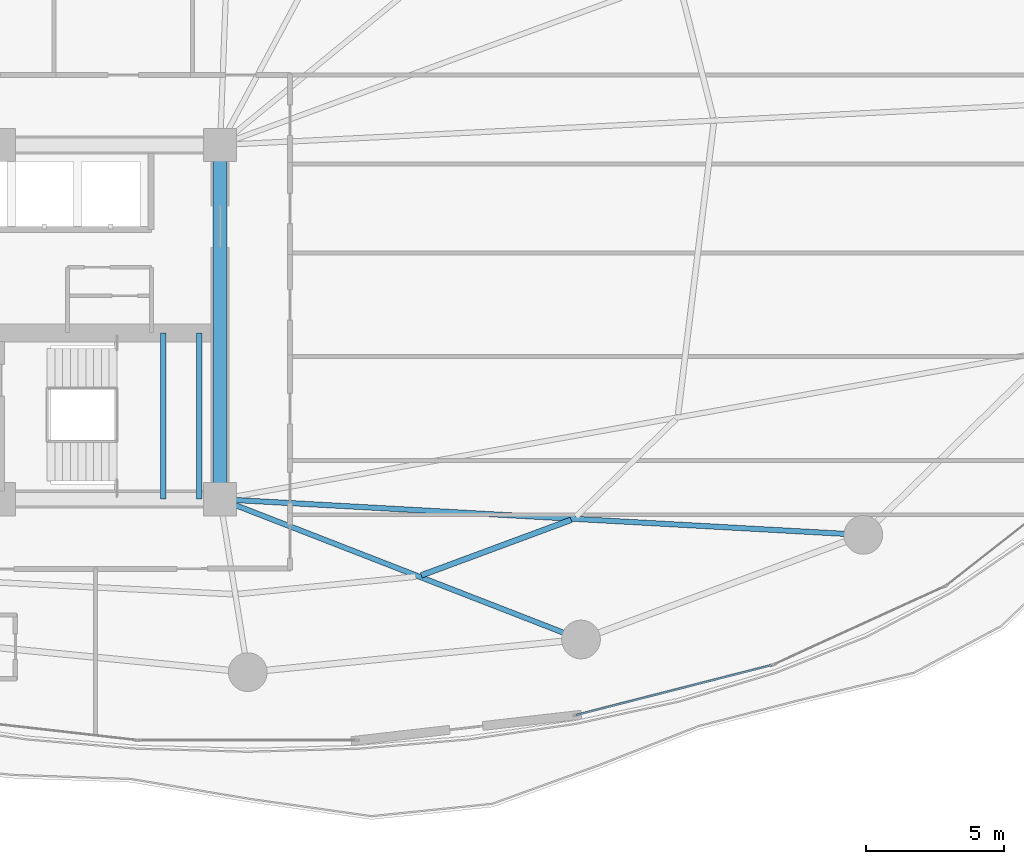
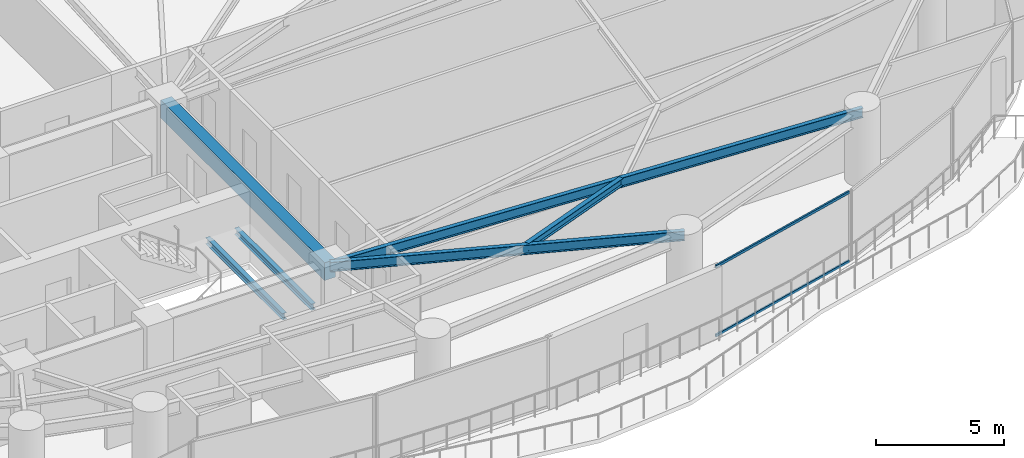
# One storey, part 12 of 34: 6 beams, 2 members, 1 element without a shape of its own.
"""IFC4 building model written with IfcOpenShell, lengths in metres."""

from ifc_helpers import new_model, si_unit, direction, frame, origin, origin_2d, place, context, subcontext, project, spatial, rectangle, hollow_rectangle, i_section, extrude, material, layer, layer_set, material_profile, profile_set, type_object, element, aggregate, save


model = new_model("IFC4")

# Units and contexts
model_context = context("Model", 3, precision=1e-05, world=origin(), true_north=direction((0.0, 1.0)))
body_context = subcontext(model_context, "Body", "Model", "MODEL_VIEW")
ifc_project = project(units=[si_unit("LENGTHUNIT", "METRE"), si_unit("AREAUNIT", "SQUARE_METRE"), si_unit("VOLUMEUNIT", "CUBIC_METRE"), si_unit("PLANEANGLEUNIT", "RADIAN"), si_unit("MASSUNIT", "GRAM", prefix="KILO")], contexts=[model_context])

# Site, building, storey
site_placement = place(None, origin())
site = spatial("IfcSite", under=ifc_project, at=site_placement, CompositionType="ELEMENT")
building_placement = place(site_placement, origin())
building = spatial("IfcBuilding", under=site, at=building_placement, Name="Kazevale Care Tower and Concert Hall", CompositionType="ELEMENT")
storey_placement = place(building_placement, frame((0.0, 0.0, 67.199951171875)))
storey = spatial("IfcBuildingStorey", under=building, at=storey_placement, Name="L17", CompositionType="ELEMENT", Elevation=67.199951171875)

# Curtain wall, members
ifc_material_1 = material(Name="Aluminium 6063-T6 and Low-E Glass", Category="aluminium")
ifc_layer = layer(ifc_material_1, 0.179931640625)
ifc_layer_set = layer_set([ifc_layer], Name="Aluminium 6063-T6 and Low-E Glass")
curtain_wall_type = type_object("IfcCurtainWallType", Name="Sheltered Concave Balcony Curtain Wall CW-5", PredefinedType="NOTDEFINED", material=ifc_layer_set)
curtain_wall_placement = place(storey_placement, origin())
curtain_wall = element("IfcCurtainWall", 1, at=curtain_wall_placement, inside=storey, type_object=curtain_wall_type, Name="cw:L17:f04", PredefinedType="NOTDEFINED")
ifc_material_2 = material(Name="Aluminium 6063-T6", Category="aluminium")
ifc_material_profile_1 = material_profile(ifc_material_2, hollow_rectangle(XDim=0.074951171875, YDim=0.1201171875, WallThickness=0.00390625, at=origin_2d()), Name="ALU75x120x4")
ifc_profile_set_1 = profile_set([ifc_material_profile_1], Name="Aluminium 6063-T6")
member_type = type_object("IfcMemberType", Name="CW-5 Transom ALU75x120x4", PredefinedType="USERDEFINED", material=ifc_profile_set_1)
member_1_placement = place(storey_placement, frame((63.915283203125, 17.599365234375, 0.03759765625), z_axis=(-0.968960816419, -0.24721435283, 0.0), x_axis=(0.24721435283, -0.968960816419, 0.0)))
member_1 = element("IfcMember", 2, at=member_1_placement, type_object=member_type, Name="CW-5 transom 1.1", ObjectType="TRANSOM", PredefinedType="USERDEFINED", context=body_context, shape_type="SweptSolid", body=[
    extrude(hollow_rectangle(XDim=0.074951171875, YDim=0.1201171875, WallThickness=0.00390625, at=origin_2d()), origin(), (0.0, 0.0, 1.0), 7.2763671875),
])
member_2_placement = place(storey_placement, frame((63.915283203125, 17.599365234375, 3.322509765625), z_axis=(-0.968960816419, -0.24721435283, 0.0), x_axis=(0.24721435283, -0.968960816419, 0.0)))
member_2 = element("IfcMember", 3, at=member_2_placement, type_object=member_type, Name="CW-5 transom 1.2", ObjectType="TRANSOM", PredefinedType="USERDEFINED", context=body_context, shape_type="SweptSolid", body=[
    extrude(hollow_rectangle(XDim=0.074951171875, YDim=0.1201171875, WallThickness=0.00390625, at=origin_2d()), origin(), (0.0, 0.0, 1.0), 7.2763671875),
])
aggregate(curtain_wall, [member_1, member_2])

# Beams
ifc_material_3 = material(Name="Concrete C60", Category="concrete")
ifc_material_profile_2 = material_profile(ifc_material_3, rectangle(XDim=0.5, YDim=0.85009765625, at=origin_2d()), Name="RC-B500x850")
ifc_profile_set_2 = profile_set([ifc_material_profile_2], Name="Concrete C60")
beam_type_1 = type_object("IfcBeamType", Name="Core Coupling Beam RC500x850", PredefinedType="LINTEL", material=ifc_profile_set_2)
beam_1_placement = place(storey_placement, frame((44.0, 23.60009765625, 2.93505859375), z_axis=(0.0, 1.0, 0.0), x_axis=(-1.0, 0.0, 0.0)))
element("IfcBeam", 4, at=beam_1_placement, inside=storey, type_object=beam_type_1, Name="beam:L17:coretie:4", PredefinedType="LINTEL", context=body_context, shape_type="SweptSolid", body=[
    extrude(rectangle(XDim=0.5, YDim=0.85009765625, at=origin_2d()), origin(), (0.0, 0.0, 1.0), 12.7998046875),
])
ifc_material_4 = material(Name="Steel ASTM A572 Gr 50", Category="steel")
ifc_material_profile_3 = material_profile(ifc_material_4, i_section(OverallWidth=0.19091796875, OverallDepth=0.4599609375, WebThickness=0.010009765625, FlangeThickness=0.01611328125, at=origin_2d()), Name="W460x82")
ifc_profile_set_3 = profile_set([ifc_material_profile_3], Name="Steel ASTM A572 Gr 50")
beam_type_2 = type_object("IfcBeamType", Name="Radial Floor Beam W460x82", PredefinedType="BEAM", material=ifc_profile_set_3)
beam_2_placement = place(storey_placement, frame((44.0, 23.60009765625, 3.130126953125), z_axis=(0.932030212407, -0.362380577792, 0.0), x_axis=(0.362380577792, 0.932030212407, 0.0)))
element("IfcBeam", 5, at=beam_2_placement, inside=storey, type_object=beam_type_2, Name="beam:L17:rad:14", PredefinedType="BEAM", context=body_context, shape_type="SweptSolid", body=[
    extrude(i_section(OverallWidth=0.19091796875, OverallDepth=0.4599609375, WebThickness=0.010009765625, FlangeThickness=0.01611328125, at=origin_2d()), origin(), (0.0, 0.0, 1.0), 13.990966796875),
])
beam_3_placement = place(storey_placement, frame((44.0, 23.60009765625, 3.130126953125), z_axis=(0.998462901796, -0.055424125948, 0.0), x_axis=(0.055424125948, 0.998462901796, 0.0)))
element("IfcBeam", 6, at=beam_3_placement, inside=storey, type_object=beam_type_2, Name="beam:L17:rad:15", PredefinedType="BEAM", context=body_context, shape_type="SweptSolid", body=[
    extrude(i_section(OverallWidth=0.19091796875, OverallDepth=0.4599609375, WebThickness=0.010009765625, FlangeThickness=0.01611328125, at=origin_2d()), origin(), (0.0, 0.0, 1.0), 23.27587890625),
])
ifc_material_profile_4 = material_profile(ifc_material_4, i_section(OverallWidth=0.205078125, OverallDepth=0.35400390625, WebThickness=0.009521484375, FlangeThickness=0.016845703125, at=origin_2d()), Name="W360x79")
ifc_profile_set_4 = profile_set([ifc_material_profile_4], Name="Steel ASTM A572 Gr 50")
beam_type_3 = type_object("IfcBeamType", Name="Secondary Floor Joist W360x79", PredefinedType="JOIST", material=ifc_profile_set_4)
beam_4_placement = place(storey_placement, frame((51.27001953125, 20.847900390625, 3.18310546875), z_axis=(0.937698254396, 0.347450692477, 0.0), x_axis=(-0.347450692477, 0.937698254396, 0.0)))
element("IfcBeam", 7, at=beam_4_placement, inside=storey, type_object=beam_type_3, Name="beam:L17:joist:14", PredefinedType="JOIST", context=body_context, shape_type="SweptSolid", body=[
    extrude(i_section(OverallWidth=0.205078125, OverallDepth=0.35400390625, WebThickness=0.009521484375, FlangeThickness=0.016845703125, at=origin_2d()), origin(), (0.0, 0.0, 1.0), 5.773681640625),
])
ifc_material_profile_5 = material_profile(ifc_material_4, i_section(OverallWidth=0.202880859375, OverallDepth=0.302978515625, WebThickness=0.007568359375, FlangeThickness=0.01318359375, at=origin_2d()), Name="W310x60")
ifc_profile_set_5 = profile_set([ifc_material_profile_5], Name="Steel ASTM A572 Gr 50")
beam_type_4 = type_object("IfcBeamType", Name="Stair & Balcony Trimmer W310x60", PredefinedType="BEAM", material=ifc_profile_set_5)
for number, where, z_axis, x_axis, name in (
    (8, (41.949951171875, 23.60009765625, 1.448486328125), (0.0, 1.0, 0.0), (-1.0, 0.0, 0.0), "beam:L17:sttrim:ST2"),
    (9, (43.25, 23.60009765625, 1.448486328125), (0.0, 1.0, 0.0), (-1.0, 0.0, 0.0), "beam:L17:sttrim:ST2b"),
):
    element("IfcBeam", number, at=place(storey_placement, frame(where, z_axis=z_axis, x_axis=x_axis)), inside=storey, type_object=beam_type_4, Name=name, PredefinedType="BEAM", context=body_context, shape_type="SweptSolid", body=[
        extrude(i_section(OverallWidth=0.202880859375, OverallDepth=0.302978515625, WebThickness=0.007568359375, FlangeThickness=0.01318359375, at=origin_2d()), origin(), (0.0, 0.0, 1.0), 6.0),
    ])

save(model, "model.ifc")
